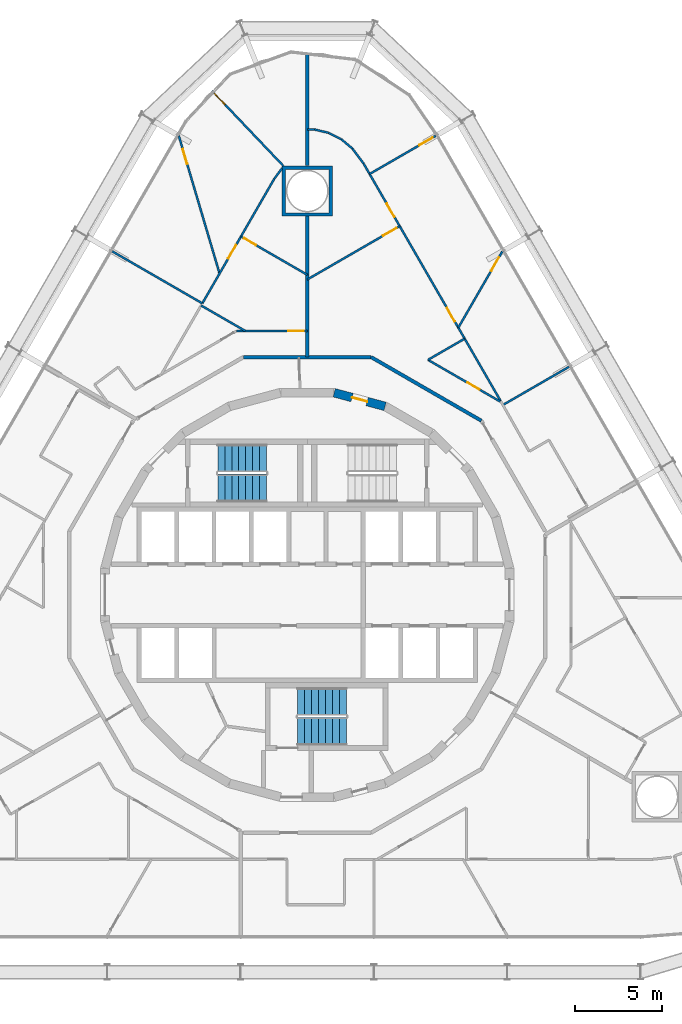
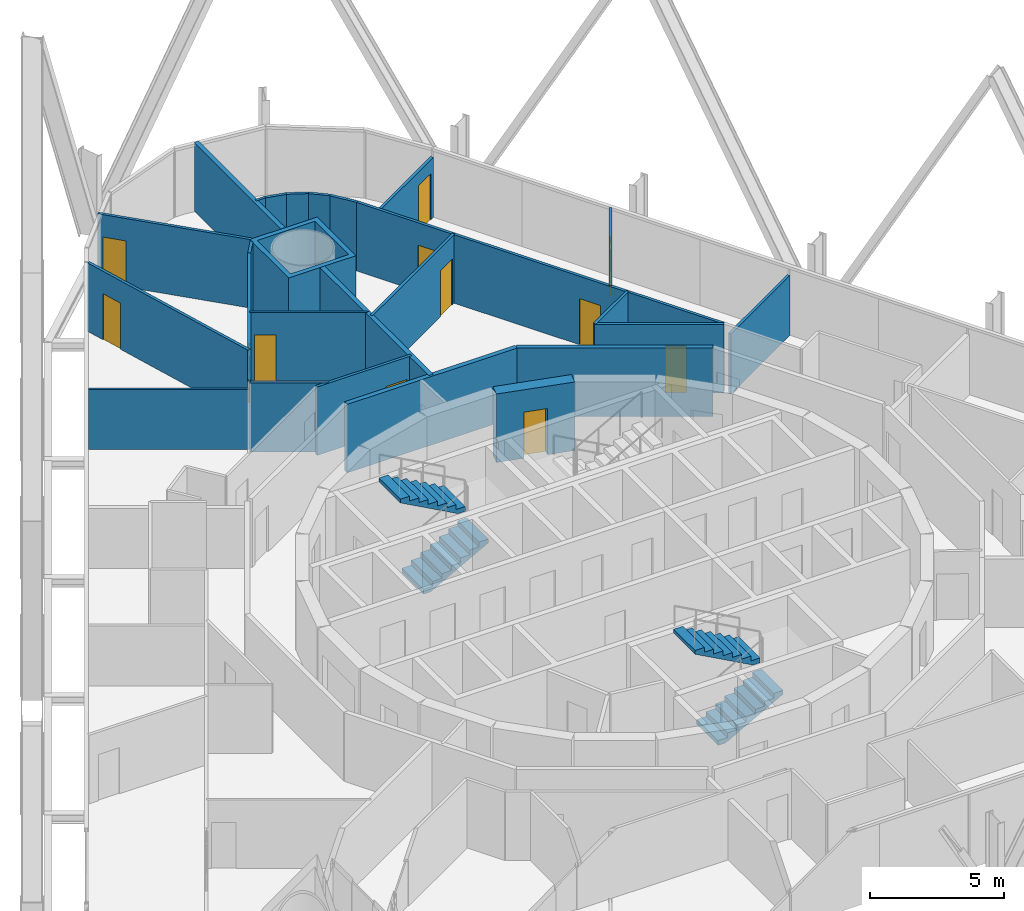
# One storey, part 19 of 21: 27 walls, 12 doors, 4 stair flights, 12 openings, 2 elements without a shape of their own.
"""IFC4 building model written with IfcOpenShell, lengths in metres."""

from ifc_helpers import new_model, si_unit, direction, frame, frame_2d, origin, place, context, subcontext, project, spatial, polyline, rectangle, outline, extrude, material, layer, layer_set, type_object, element, fill, aggregate, save


model = new_model("IFC4")

# Units and contexts
model_context = context("Model", 3, precision=1e-05, world=origin(), true_north=direction((0.0, 1.0)))
body_context = subcontext(model_context, "Body", "Model", "MODEL_VIEW")
ifc_project = project(units=[si_unit("LENGTHUNIT", "METRE"), si_unit("AREAUNIT", "SQUARE_METRE"), si_unit("VOLUMEUNIT", "CUBIC_METRE"), si_unit("PLANEANGLEUNIT", "RADIAN"), si_unit("MASSUNIT", "GRAM", prefix="KILO")], contexts=[model_context])

# Site, building, storey
site_placement = place(None, origin())
site = spatial("IfcSite", under=ifc_project, at=site_placement, CompositionType="ELEMENT")
building_placement = place(site_placement, origin())
building = spatial("IfcBuilding", under=site, at=building_placement, Name="Spindle Arch Residences", CompositionType="ELEMENT")
storey_placement = place(building_placement, frame((0.0, 0.0, 38.39990234375)))
storey = spatial("IfcBuildingStorey", under=building, at=storey_placement, Name="L07", CompositionType="ELEMENT", Elevation=38.39990234375)

# Wall, opening, door
ifc_material_1 = material(Name="Concrete C50/60", Category="concrete")
ifc_layer_1 = layer(ifc_material_1, 0.5)
ifc_layer_set_1 = layer_set([ifc_layer_1], Name="Core outline wall 500")
wall_type_1 = type_object("IfcWallType", Name="Core outline wall 500", PredefinedType="SHEAR", material=ifc_layer_set_1)
wall_1_placement = place(storey_placement, frame((4.479248046875, 10.858154296875, 0.0), z_axis=(0.0, 0.0, 1.0), x_axis=(-0.965948410781, 0.258734743916, 0.0)))
wall_1 = element("IfcWall", 1, at=wall_1_placement, inside=storey, type_object=wall_type_1, Name="Core outline wall 11", PredefinedType="SHEAR", context=body_context, shape_type="SweptSolid", body=[
    extrude(rectangle(XDim=3.03271484375, YDim=0.5, at=frame_2d((1.516357421875, 0.0))), origin(), (0.0, 0.0, 1.0), 3.1201171875),
])
opening_1_placement = place(wall_1_placement, frame((1.066162109375, 0.0, 0.0)))
opening_1 = element("IfcOpeningElement", 2, at=opening_1_placement, cuts=wall_1, Name="Opening R1A0-WD10", PredefinedType="OPENING", context=body_context, shape_type="SweptSolid", body=[
    extrude(rectangle(XDim=0.89990234375, YDim=2.10009765625, at=frame_2d((0.449951171875, 1.050048828125))), frame((0.0, 0.260009765625, 0.0), z_axis=(0.0, -1.0, 0.0), x_axis=(1.0, 0.0, 0.0)), (0.0, 0.0, 1.0), 0.52001953125),
])
ifc_material_2 = material(Name="Steel, fire-resisting door", Category="steel")
door_type_1 = type_object("IfcDoorType", Name="Service room door 900x2100", OperationType="SINGLE_SWING_LEFT", PredefinedType="DOOR", material=ifc_material_2)
door_1_placement = place(opening_1_placement, origin())
door_1 = element("IfcDoor", 3, at=door_1_placement, inside=storey, type_object=door_type_1, Name="Service room door R1A0-WD10", OperationType="SINGLE_SWING_LEFT", OverallHeight=2.10009765625, OverallWidth=0.89990234375, PredefinedType="DOOR", context=body_context, shape_type="SweptSolid", body=[
    extrude(rectangle(XDim=0.89990234375, YDim=2.10009765625, at=frame_2d((0.449951171875, 1.050048828125))), frame((0.0, 0.02490234375, 0.0), z_axis=(0.0, -1.0, 0.0), x_axis=(1.0, 0.0, 0.0)), (0.0, 0.0, 1.0), 0.050048828125),
])
fill(opening_1, door_1)

# Walls
ifc_material_3 = material(Name="Calcium silicate block, plastered")
ifc_layer_2 = layer(ifc_material_3, 0.199951171875)
ifc_layer_set_2 = layer_set([ifc_layer_2], Name="Corridor wall 200")
wall_type_2 = type_object("IfcWallType", Name="Corridor wall 200", PredefinedType="STANDARD", material=ifc_layer_set_2)
for number, where, z_axis, x_axis, name in (
    (4, (10.029052734375, 10.029052734375, 0.0), (0.0, 0.0, 1.0), (-0.866024439905, 0.500001669485, 0.0), "Corridor wall R1A0-W005"),
    (5, (3.6708984375, 13.699951171875, 0.0), (0.0, 0.0, 1.0), (-1.0, 0.0, 0.0), "Corridor wall R1A0-W006"),
):
    element("IfcWall", number, at=place(storey_placement, frame(where, z_axis=z_axis, x_axis=x_axis)), inside=storey, type_object=wall_type_2, Name=name, PredefinedType="STANDARD", context=body_context, shape_type="SweptSolid", body=[
        extrude(rectangle(XDim=7.341796875, YDim=0.199951171875, at=frame_2d((3.6708984375, 0.0))), origin(), (0.0, 0.0, 1.0), 3.1201171875),
    ])

# Wall, openings, doors
ifc_material_4 = material(Name="Plasterboard on steel studs", Category="steel")
ifc_layer_3 = layer(ifc_material_4, 0.1201171875)
ifc_layer_set_3 = layer_set([ifc_layer_3], Name="Flat partition 120")
wall_type_3 = type_object("IfcWallType", Name="Flat partition 120", PredefinedType="PARTITIONING", material=ifc_layer_set_3)
wall_2_placement = place(storey_placement, frame((11.138916015625, 11.16650390625, 0.0), z_axis=(0.0, 0.0, 1.0), x_axis=(-0.499994660107, 0.866028486751, 0.0)))
wall_2 = element("IfcWall", 6, at=wall_2_placement, inside=storey, type_object=wall_type_3, Name="Flat partition R1A0-W031", PredefinedType="PARTITIONING", context=body_context, shape_type="SweptSolid", body=[
    extrude(rectangle(XDim=15.786376953125, YDim=0.1201171875, at=frame_2d((7.89306640625, 0.0))), origin(), (0.0, 0.0, 1.0), 3.1201171875),
])
opening_2_placement = place(wall_2_placement, frame((5.27880859375, 0.0, 0.0)))
opening_2 = element("IfcOpeningElement", 7, at=opening_2_placement, cuts=wall_2, Name="Opening R1A0-ID02", PredefinedType="OPENING", context=body_context, shape_type="SweptSolid", body=[
    extrude(rectangle(XDim=0.89990234375, YDim=2.10009765625, at=frame_2d((0.449951171875, 1.050048828125))), frame((0.0, 0.070068359375, 0.0), z_axis=(0.0, -1.0, 0.0), x_axis=(1.0, 0.0, 0.0)), (0.0, 0.0, 1.0), 0.14013671875),
])
opening_3_placement = place(wall_2_placement, frame((12.230224609375, 0.0, 0.0)))
opening_3 = element("IfcOpeningElement", 8, at=opening_3_placement, cuts=wall_2, Name="Opening R1A0-ID06", PredefinedType="OPENING", context=body_context, shape_type="SweptSolid", body=[
    extrude(rectangle(XDim=0.89990234375, YDim=2.10009765625, at=frame_2d((0.449951171875, 1.050048828125))), frame((0.0, 0.070068359375, 0.0), z_axis=(0.0, -1.0, 0.0), x_axis=(1.0, 0.0, 0.0)), (0.0, 0.0, 1.0), 0.14013671875),
])
ifc_material_5 = material(Name="Timber door set", Category="wood")
door_type_2 = type_object("IfcDoorType", Name="Room door 900x2100", OperationType="NOTDEFINED", PredefinedType="DOOR", material=ifc_material_5)
door_2_placement = place(opening_2_placement, origin())
door_2 = element("IfcDoor", 9, at=door_2_placement, inside=storey, type_object=door_type_2, Name="Room door R1A0-ID02", OperationType="SINGLE_SWING_RIGHT", OverallHeight=2.10009765625, OverallWidth=0.89990234375, PredefinedType="DOOR", context=body_context, shape_type="SweptSolid", body=[
    extrude(rectangle(XDim=0.89990234375, YDim=2.10009765625, at=frame_2d((0.449951171875, 1.050048828125))), frame((0.0, 0.02490234375, 0.0), z_axis=(0.0, -1.0, 0.0), x_axis=(1.0, 0.0, 0.0)), (0.0, 0.0, 1.0), 0.050048828125),
])
fill(opening_2, door_2)
door_3_placement = place(opening_3_placement, origin())
door_3 = element("IfcDoor", 10, at=door_3_placement, inside=storey, type_object=door_type_2, Name="Room door R1A0-ID06", OperationType="SINGLE_SWING_LEFT", OverallHeight=2.10009765625, OverallWidth=0.89990234375, PredefinedType="DOOR", context=body_context, shape_type="SweptSolid", body=[
    extrude(rectangle(XDim=0.89990234375, YDim=2.10009765625, at=frame_2d((0.449951171875, 1.050048828125))), frame((0.0, 0.02490234375, 0.0), z_axis=(0.0, -1.0, 0.0), x_axis=(1.0, 0.0, 0.0)), (0.0, 0.0, 1.0), 0.050048828125),
])
fill(opening_3, door_3)

# Wall, opening, door
wall_3_placement = place(storey_placement, frame((11.127197265625, 11.127197265625, 0.0), z_axis=(0.0, 0.0, 1.0), x_axis=(-0.866043916853, 0.499967933054, 0.0)))
wall_3 = element("IfcWall", 11, at=wall_3_placement, inside=storey, type_object=wall_type_3, Name="Flat partition R1A0-W032", PredefinedType="PARTITIONING", context=body_context, shape_type="SweptSolid", body=[
    extrude(rectangle(XDim=4.821044921875, YDim=0.1201171875, at=frame_2d((2.41064453125, 0.0))), origin(), (0.0, 0.0, 1.0), 3.1201171875),
])
opening_4_placement = place(wall_3_placement, frame((1.39990234375, 0.0, 0.0)))
opening_4 = element("IfcOpeningElement", 12, at=opening_4_placement, cuts=wall_3, Name="Opening R1A0-BD01", PredefinedType="OPENING", context=body_context, shape_type="SweptSolid", body=[
    extrude(rectangle(XDim=0.800048828125, YDim=2.10009765625, at=frame_2d((0.39990234375, 1.050048828125))), frame((0.0, 0.070068359375, 0.0), z_axis=(0.0, -1.0, 0.0), x_axis=(1.0, 0.0, 0.0)), (0.0, 0.0, 1.0), 0.14013671875),
])
ifc_material_6 = material(Name="Timber door set", Category="wood")
door_type_3 = type_object("IfcDoorType", Name="Bathroom door 800x2100", OperationType="NOTDEFINED", PredefinedType="DOOR", material=ifc_material_6)
door_4_placement = place(opening_4_placement, origin())
door_4 = element("IfcDoor", 13, at=door_4_placement, inside=storey, type_object=door_type_3, Name="Bathroom door R1A0-BD01", OperationType="SINGLE_SWING_RIGHT", OverallHeight=2.10009765625, OverallWidth=0.800048828125, PredefinedType="DOOR", context=body_context, shape_type="SweptSolid", body=[
    extrude(rectangle(XDim=0.800048828125, YDim=2.10009765625, at=frame_2d((0.39990234375, 1.050048828125))), frame((0.0, 0.02490234375, 0.0), z_axis=(0.0, -1.0, 0.0), x_axis=(1.0, 0.0, 0.0)), (0.0, 0.0, 1.0), 0.050048828125),
])
fill(opening_4, door_4)

# Wall
wall_4_placement = place(storey_placement, frame((6.951904296875, 13.53759765625, 0.0), z_axis=(0.0, 0.0, 1.0), x_axis=(0.866030657337, 0.49999090047, 0.0)))
element("IfcWall", 14, at=wall_4_placement, inside=storey, type_object=wall_type_3, Name="Flat partition R1A0-W033", PredefinedType="PARTITIONING", context=body_context, shape_type="SweptSolid", body=[
    extrude(rectangle(XDim=2.4404296875, YDim=0.1201171875, at=frame_2d((1.22021484375, 0.0))), origin(), (0.0, 0.0, 1.0), 3.1201171875),
])

# Wall, opening, door
wall_5_placement = place(storey_placement, frame((5.323974609375, 21.238525390625, 0.0), z_axis=(0.0, 0.0, 1.0), x_axis=(-0.866030172657, -0.49999173998, 0.0)))
wall_5 = element("IfcWall", 15, at=wall_5_placement, inside=storey, type_object=wall_type_3, Name="Flat partition R1A0-W034", PredefinedType="PARTITIONING", context=body_context, shape_type="SweptSolid", body=[
    extrude(rectangle(XDim=6.1474609375, YDim=0.1201171875, at=frame_2d((3.07373046875, 0.0))), origin(), (0.0, 0.0, 1.0), 3.1201171875),
])
opening_5_placement = place(wall_5_placement, frame((0.199951171875, 0.0, 0.0)))
opening_5 = element("IfcOpeningElement", 16, at=opening_5_placement, cuts=wall_5, Name="Opening R1A0-ID03", PredefinedType="OPENING", context=body_context, shape_type="SweptSolid", body=[
    extrude(rectangle(XDim=0.89990234375, YDim=2.10009765625, at=frame_2d((0.449951171875, 1.050048828125))), frame((0.0, 0.070068359375, 0.0), z_axis=(0.0, -1.0, 0.0), x_axis=(1.0, 0.0, 0.0)), (0.0, 0.0, 1.0), 0.14013671875),
])
door_5_placement = place(opening_5_placement, origin())
door_5 = element("IfcDoor", 17, at=door_5_placement, inside=storey, type_object=door_type_2, Name="Room door R1A0-ID03", OperationType="SINGLE_SWING_RIGHT", OverallHeight=2.10009765625, OverallWidth=0.89990234375, PredefinedType="DOOR", context=body_context, shape_type="SweptSolid", body=[
    extrude(rectangle(XDim=0.89990234375, YDim=2.10009765625, at=frame_2d((0.449951171875, 1.050048828125))), frame((0.0, 0.02490234375, 0.0), z_axis=(0.0, -1.0, 0.0), x_axis=(1.0, 0.0, 0.0)), (0.0, 0.0, 1.0), 0.050048828125),
])
fill(opening_5, door_5)

wall_6_placement = place(storey_placement, frame((11.239990234375, 19.791748046875, 0.0), z_axis=(0.0, 0.0, 1.0), x_axis=(-0.499978956711, -0.866037552792, 0.0)))
wall_6 = element("IfcWall", 18, at=wall_6_placement, inside=storey, type_object=wall_type_3, Name="Flat partition R1A0-W036", PredefinedType="PARTITIONING", context=body_context, shape_type="SweptSolid", body=[
    extrude(rectangle(XDim=5.080810546875, YDim=0.1201171875, at=frame_2d((2.54052734375, 0.0))), origin(), (0.0, 0.0, 1.0), 3.1201171875),
])
opening_6_placement = place(wall_6_placement, frame((0.39990234375, 0.0, 0.0)))
opening_6 = element("IfcOpeningElement", 19, at=opening_6_placement, cuts=wall_6, Name="Opening R1A0-ID04", PredefinedType="OPENING", context=body_context, shape_type="SweptSolid", body=[
    extrude(rectangle(XDim=0.89990234375, YDim=2.10009765625, at=frame_2d((0.449951171875, 1.050048828125))), frame((0.0, 0.070068359375, 0.0), z_axis=(0.0, -1.0, 0.0), x_axis=(1.0, 0.0, 0.0)), (0.0, 0.0, 1.0), 0.14013671875),
])
door_6_placement = place(opening_6_placement, origin())
door_6 = element("IfcDoor", 20, at=door_6_placement, inside=storey, type_object=door_type_2, Name="Room door R1A0-ID04", OperationType="SINGLE_SWING_LEFT", OverallHeight=2.10009765625, OverallWidth=0.89990234375, PredefinedType="DOOR", context=body_context, shape_type="SweptSolid", body=[
    extrude(rectangle(XDim=0.89990234375, YDim=2.10009765625, at=frame_2d((0.449951171875, 1.050048828125))), frame((0.0, 0.02490234375, 0.0), z_axis=(0.0, -1.0, 0.0), x_axis=(1.0, 0.0, 0.0)), (0.0, 0.0, 1.0), 0.050048828125),
])
fill(opening_6, door_6)

# Walls
wall_7_placement = place(storey_placement, frame((0.0, 26.8056640625, 0.0), z_axis=(0.0, 0.0, 1.0), x_axis=(1.0, 0.0, 0.0)))
element("IfcWall", 21, at=wall_7_placement, inside=storey, type_object=wall_type_3, Name="Flat partition R1A0-W038", PredefinedType="PARTITIONING", context=body_context, shape_type="SweptSolid", body=[
    extrude(rectangle(XDim=0.41455078125, YDim=0.1201171875, at=frame_2d((0.207275390625, 0.0))), origin(), (0.0, 0.0, 1.0), 3.1201171875),
])
wall_8_placement = place(storey_placement, frame((0.41455078125, 26.8056640625, 0.0), z_axis=(0.0, 0.0, 1.0), x_axis=(0.973048993259, -0.230598475097, 0.0)))
element("IfcWall", 22, at=wall_8_placement, inside=storey, type_object=wall_type_3, Name="Flat partition R1A0-W039", PredefinedType="PARTITIONING", context=body_context, shape_type="SweptSolid", body=[
    extrude(rectangle(XDim=0.8291015625, YDim=0.1201171875, at=frame_2d((0.41455078125, 0.0))), origin(), (0.0, 0.0, 1.0), 3.1201171875),
])
for number, where, z_axis, x_axis, name in (
    (23, (1.22119140625, 26.614501953125, 0.0), (0.0, 0.0, 1.0), (0.893719110379, -0.448626962791, 0.0), "Flat partition R1A0-W040"),
    (24, (1.9619140625, 26.24267578125, 0.0), (0.0, 0.0, 1.0), (0.765849913579, -0.643019369748, 0.0), "Flat partition R1A0-W041"),
):
    element("IfcWall", number, at=place(storey_placement, frame(where, z_axis=z_axis, x_axis=x_axis)), inside=storey, type_object=wall_type_3, Name=name, PredefinedType="PARTITIONING", context=body_context, shape_type="SweptSolid", body=[
        extrude(rectangle(XDim=0.828857421875, YDim=0.1201171875, at=frame_2d((0.41455078125, 0.0))), origin(), (0.0, 0.0, 1.0), 3.1201171875),
    ])
wall_9_placement = place(storey_placement, frame((2.5966796875, 25.709716796875, 0.0), z_axis=(0.0, 0.0, 1.0), x_axis=(0.59722925597, -0.802070580319, 0.0)))
element("IfcWall", 25, at=wall_9_placement, inside=storey, type_object=wall_type_3, Name="Flat partition R1A0-W042", PredefinedType="PARTITIONING", context=body_context, shape_type="SweptSolid", body=[
    extrude(rectangle(XDim=1.0869140625, YDim=0.1201171875, at=frame_2d((0.54345703125, 0.0))), origin(), (0.0, 0.0, 1.0), 3.1201171875),
])

# Wall, opening, door
wall_10_placement = place(storey_placement, frame((0.0, 15.199951171875, 0.0), z_axis=(0.0, 0.0, 1.0), x_axis=(-1.0, 0.0, 0.0)))
wall_10 = element("IfcWall", 26, at=wall_10_placement, inside=storey, type_object=wall_type_3, Name="Flat partition R1A0-W043", PredefinedType="PARTITIONING", context=body_context, shape_type="SweptSolid", body=[
    extrude(rectangle(XDim=4.07275390625, YDim=0.1201171875, at=frame_2d((2.036376953125, 0.0))), origin(), (0.0, 0.0, 1.0), 3.1201171875),
])
opening_7_placement = place(wall_10_placement, frame((0.199951171875, 0.0, 0.0)))
opening_7 = element("IfcOpeningElement", 27, at=opening_7_placement, cuts=wall_10, Name="Opening R1A0-ID07", PredefinedType="OPENING", context=body_context, shape_type="SweptSolid", body=[
    extrude(rectangle(XDim=0.89990234375, YDim=2.10009765625, at=frame_2d((0.449951171875, 1.050048828125))), frame((0.0, 0.070068359375, 0.0), z_axis=(0.0, -1.0, 0.0), x_axis=(1.0, 0.0, 0.0)), (0.0, 0.0, 1.0), 0.14013671875),
])
door_7_placement = place(opening_7_placement, origin())
door_7 = element("IfcDoor", 28, at=door_7_placement, inside=storey, type_object=door_type_2, Name="Room door R1A0-ID07", OperationType="SINGLE_SWING_RIGHT", OverallHeight=2.10009765625, OverallWidth=0.89990234375, PredefinedType="DOOR", context=body_context, shape_type="SweptSolid", body=[
    extrude(rectangle(XDim=0.89990234375, YDim=2.10009765625, at=frame_2d((0.449951171875, 1.050048828125))), frame((0.0, 0.02490234375, 0.0), z_axis=(0.0, -1.0, 0.0), x_axis=(1.0, 0.0, 0.0)), (0.0, 0.0, 1.0), 0.050048828125),
])
fill(opening_7, door_7)

wall_11_placement = place(storey_placement, frame((-5.487060546875, 29.0283203125, 0.0), z_axis=(0.0, 0.0, 1.0), x_axis=(0.689189638576, -0.724581011398, 0.0)))
wall_11 = element("IfcWall", 29, at=wall_11_placement, inside=storey, type_object=wall_type_3, Name="Flat partition R1A0-W048", PredefinedType="PARTITIONING", context=body_context, shape_type="SweptSolid", body=[
    extrude(rectangle(XDim=5.960205078125, YDim=0.1201171875, at=frame_2d((2.97998046875, 0.0))), origin(), (0.0, 0.0, 1.0), 3.1201171875),
])
opening_8_placement = place(wall_11_placement, frame((0.199951171875, 0.0, 0.0)))
opening_8 = element("IfcOpeningElement", 30, at=opening_8_placement, cuts=wall_11, Name="Opening R1A0-ID10", PredefinedType="OPENING", context=body_context, shape_type="SweptSolid", body=[
    extrude(rectangle(XDim=0.89990234375, YDim=2.10009765625, at=frame_2d((0.449951171875, 1.050048828125))), frame((0.0, 0.070068359375, 0.0), z_axis=(0.0, -1.0, 0.0), x_axis=(1.0, 0.0, 0.0)), (0.0, 0.0, 1.0), 0.14013671875),
])
door_8_placement = place(opening_8_placement, origin())
door_8 = element("IfcDoor", 31, at=door_8_placement, inside=storey, type_object=door_type_2, Name="Room door R1A0-ID10", OperationType="SINGLE_SWING_LEFT", OverallHeight=2.10009765625, OverallWidth=0.89990234375, PredefinedType="DOOR", context=body_context, shape_type="SweptSolid", body=[
    extrude(rectangle(XDim=0.89990234375, YDim=2.10009765625, at=frame_2d((0.449951171875, 1.050048828125))), frame((0.0, 0.02490234375, 0.0), z_axis=(0.0, -1.0, 0.0), x_axis=(1.0, 0.0, 0.0)), (0.0, 0.0, 1.0), 0.050048828125),
])
fill(opening_8, door_8)

wall_12_placement = place(storey_placement, frame((-3.820556640625, 20.642578125, 0.0), z_axis=(0.0, 0.0, 1.0), x_axis=(0.866024310165, -0.5000018942, 0.0)))
wall_12 = element("IfcWall", 32, at=wall_12_placement, inside=storey, type_object=wall_type_3, Name="Flat partition R1A0-W049", PredefinedType="PARTITIONING", context=body_context, shape_type="SweptSolid", body=[
    extrude(rectangle(XDim=4.41162109375, YDim=0.1201171875, at=frame_2d((2.205810546875, 0.0))), origin(), (0.0, 0.0, 1.0), 3.1201171875),
])
opening_9_placement = place(wall_12_placement, frame((0.199951171875, 0.0, 0.0)))
opening_9 = element("IfcOpeningElement", 33, at=opening_9_placement, cuts=wall_12, Name="Opening R1A0-BD03", PredefinedType="OPENING", context=body_context, shape_type="SweptSolid", body=[
    extrude(rectangle(XDim=0.800048828125, YDim=2.10009765625, at=frame_2d((0.39990234375, 1.050048828125))), frame((0.0, 0.070068359375, 0.0), z_axis=(0.0, -1.0, 0.0), x_axis=(1.0, 0.0, 0.0)), (0.0, 0.0, 1.0), 0.14013671875),
])
door_9_placement = place(opening_9_placement, origin())
door_9 = element("IfcDoor", 34, at=door_9_placement, inside=storey, type_object=door_type_3, Name="Bathroom door R1A0-BD03", OperationType="SINGLE_SWING_LEFT", OverallHeight=2.10009765625, OverallWidth=0.800048828125, PredefinedType="DOOR", context=body_context, shape_type="SweptSolid", body=[
    extrude(rectangle(XDim=0.800048828125, YDim=2.10009765625, at=frame_2d((0.39990234375, 1.050048828125))), frame((0.0, 0.02490234375, 0.0), z_axis=(0.0, -1.0, 0.0), x_axis=(1.0, 0.0, 0.0)), (0.0, 0.0, 1.0), 0.050048828125),
])
fill(opening_9, door_9)

# Wall
wall_13_placement = place(storey_placement, frame((-1.449951171875, 24.57080078125, 0.0), z_axis=(0.0, 0.0, 1.0), x_axis=(-0.597187509737, -0.802101663266, 0.0)))
element("IfcWall", 35, at=wall_13_placement, inside=storey, type_object=wall_type_3, Name="Flat partition R1A0-W050", PredefinedType="PARTITIONING", context=body_context, shape_type="SweptSolid", body=[
    extrude(rectangle(XDim=0.764892578125, YDim=0.1201171875, at=frame_2d((0.38232421875, 0.0))), origin(), (0.0, 0.0, 1.0), 3.1201171875),
])

# Wall, opening, door
wall_14_placement = place(storey_placement, frame((-1.90673828125, 23.957275390625, 0.0), z_axis=(0.0, 0.0, 1.0), x_axis=(-0.499994901178, -0.866028347571, 0.0)))
wall_14 = element("IfcWall", 36, at=wall_14_placement, inside=storey, type_object=wall_type_3, Name="Flat partition R1A0-W051", PredefinedType="PARTITIONING", context=body_context, shape_type="SweptSolid", body=[
    extrude(rectangle(XDim=8.27392578125, YDim=0.1201171875, at=frame_2d((4.136962890625, 0.0))), origin(), (0.0, 0.0, 1.0), 3.1201171875),
])
opening_10_placement = place(wall_14_placement, frame((4.387451171875, 0.0, 0.0)))
opening_10 = element("IfcOpeningElement", 37, at=opening_10_placement, cuts=wall_14, Name="Opening R1A0-ID09", PredefinedType="OPENING", context=body_context, shape_type="SweptSolid", body=[
    extrude(rectangle(XDim=0.89990234375, YDim=2.10009765625, at=frame_2d((0.449951171875, 1.050048828125))), frame((0.0, 0.070068359375, 0.0), z_axis=(0.0, -1.0, 0.0), x_axis=(1.0, 0.0, 0.0)), (0.0, 0.0, 1.0), 0.14013671875),
])
door_10_placement = place(opening_10_placement, origin())
door_10 = element("IfcDoor", 38, at=door_10_placement, inside=storey, type_object=door_type_2, Name="Room door R1A0-ID09", OperationType="SINGLE_SWING_LEFT", OverallHeight=2.10009765625, OverallWidth=0.89990234375, PredefinedType="DOOR", context=body_context, shape_type="SweptSolid", body=[
    extrude(rectangle(XDim=0.89990234375, YDim=2.10009765625, at=frame_2d((0.449951171875, 1.050048828125))), frame((0.0, 0.02490234375, 0.0), z_axis=(0.0, -1.0, 0.0), x_axis=(1.0, 0.0, 0.0)), (0.0, 0.0, 1.0), 0.050048828125),
])
fill(opening_10, door_10)

# Wall
wall_15_placement = place(storey_placement, frame((-6.114013671875, 16.669921875, 0.0), z_axis=(0.0, 0.0, 1.0), x_axis=(0.866011328839, -0.500024377727, 0.0)))
element("IfcWall", 39, at=wall_15_placement, inside=storey, type_object=wall_type_3, Name="Flat partition R1A0-W052", PredefinedType="PARTITIONING", context=body_context, shape_type="SweptSolid", body=[
    extrude(rectangle(XDim=2.939697265625, YDim=0.1201171875, at=frame_2d((1.4697265625, 0.0))), origin(), (0.0, 0.0, 1.0), 3.1201171875),
])

# Wall, opening, door
wall_16_placement = place(storey_placement, frame((-7.39990234375, 26.44287109375, 0.0), z_axis=(0.0, 0.0, 1.0), x_axis=(0.283777867447, -0.95889004685, 0.0)))
wall_16 = element("IfcWall", 40, at=wall_16_placement, inside=storey, type_object=wall_type_3, Name="Flat partition R1A0-W053", PredefinedType="PARTITIONING", context=body_context, shape_type="SweptSolid", body=[
    extrude(rectangle(XDim=8.273681640625, YDim=0.1201171875, at=frame_2d((4.13671875, 0.0))), origin(), (0.0, 0.0, 1.0), 3.1201171875),
])
opening_11_placement = place(wall_16_placement, frame((0.800048828125, 0.0, 0.0)))
opening_11 = element("IfcOpeningElement", 41, at=opening_11_placement, cuts=wall_16, Name="Opening R1A0-ID11", PredefinedType="OPENING", context=body_context, shape_type="SweptSolid", body=[
    extrude(rectangle(XDim=0.89990234375, YDim=2.10009765625, at=frame_2d((0.449951171875, 1.050048828125))), frame((0.0, 0.070068359375, 0.0), z_axis=(0.0, -1.0, 0.0), x_axis=(1.0, 0.0, 0.0)), (0.0, 0.0, 1.0), 0.14013671875),
])
door_11_placement = place(opening_11_placement, origin())
door_11 = element("IfcDoor", 42, at=door_11_placement, inside=storey, type_object=door_type_2, Name="Room door R1A0-ID11", OperationType="SINGLE_SWING_RIGHT", OverallHeight=2.10009765625, OverallWidth=0.89990234375, PredefinedType="DOOR", context=body_context, shape_type="SweptSolid", body=[
    extrude(rectangle(XDim=0.89990234375, YDim=2.10009765625, at=frame_2d((0.449951171875, 1.050048828125))), frame((0.0, 0.02490234375, 0.0), z_axis=(0.0, -1.0, 0.0), x_axis=(1.0, 0.0, 0.0)), (0.0, 0.0, 1.0), 0.050048828125),
])
fill(opening_11, door_11)

# Wall
ifc_material_7 = material(Name="Plasterboard on steel studs", Category="steel")
ifc_layer_4 = layer(ifc_material_7, 0.1201171875)
ifc_layer_set_4 = layer_set([ifc_layer_4], Name="Flat partition 120 under beam 2730")
wall_type_4 = type_object("IfcWallType", Name="Flat partition 120 under beam 2730", PredefinedType="PARTITIONING", material=ifc_layer_set_4)
wall_17_placement = place(storey_placement, frame((15.080078125, 13.140380859375, 0.0), z_axis=(0.0, 0.0, 1.0), x_axis=(-0.866032203192, -0.499988222896, 0.0)))
element("IfcWall", 43, at=wall_17_placement, inside=storey, type_object=wall_type_4, Name="Flat partition R1A0-W035", PredefinedType="PARTITIONING", context=body_context, shape_type="SweptSolid", body=[
    extrude(rectangle(XDim=4.39990234375, YDim=0.1201171875, at=frame_2d((2.199951171875, 0.0))), origin(), (0.0, 0.0, 1.0), 2.72998046875),
])

# Wall, opening, door
wall_18_placement = place(storey_placement, frame((7.39990234375, 26.44287109375, 0.0), z_axis=(0.0, 0.0, 1.0), x_axis=(-0.866032203192, -0.499988222896, 0.0)))
wall_18 = element("IfcWall", 44, at=wall_18_placement, inside=storey, type_object=wall_type_4, Name="Flat partition R1A0-W037", PredefinedType="PARTITIONING", context=body_context, shape_type="SweptSolid", body=[
    extrude(rectangle(XDim=4.39990234375, YDim=0.1201171875, at=frame_2d((2.199951171875, 0.0))), origin(), (0.0, 0.0, 1.0), 2.72998046875),
])
opening_12_placement = place(wall_18_placement, frame((0.199951171875, 0.0, 0.0)))
opening_12 = element("IfcOpeningElement", 45, at=opening_12_placement, cuts=wall_18, Name="Opening R1A0-ID05", PredefinedType="OPENING", context=body_context, shape_type="SweptSolid", body=[
    extrude(rectangle(XDim=0.89990234375, YDim=2.10009765625, at=frame_2d((0.449951171875, 1.050048828125))), frame((0.0, 0.070068359375, 0.0), z_axis=(0.0, -1.0, 0.0), x_axis=(1.0, 0.0, 0.0)), (0.0, 0.0, 1.0), 0.14013671875),
])
door_12_placement = place(opening_12_placement, origin())
door_12 = element("IfcDoor", 46, at=door_12_placement, inside=storey, type_object=door_type_2, Name="Room door R1A0-ID05", OperationType="SINGLE_SWING_RIGHT", OverallHeight=2.10009765625, OverallWidth=0.89990234375, PredefinedType="DOOR", context=body_context, shape_type="SweptSolid", body=[
    extrude(rectangle(XDim=0.89990234375, YDim=2.10009765625, at=frame_2d((0.449951171875, 1.050048828125))), frame((0.0, 0.02490234375, 0.0), z_axis=(0.0, -1.0, 0.0), x_axis=(1.0, 0.0, 0.0)), (0.0, 0.0, 1.0), 0.050048828125),
])
fill(opening_12, door_12)

# Walls
wall_19_placement = place(storey_placement, frame((-11.239990234375, 19.791748046875, 0.0), z_axis=(0.0, 0.0, 1.0), x_axis=(0.866031096941, -0.499990139034, 0.0)))
element("IfcWall", 47, at=wall_19_placement, inside=storey, type_object=wall_type_4, Name="Flat partition R1A0-W054", PredefinedType="PARTITIONING", context=body_context, shape_type="SweptSolid", body=[
    extrude(rectangle(XDim=6.0, YDim=0.1201171875, at=frame_2d((3.0, 0.0))), origin(), (0.0, 0.0, 1.0), 2.72998046875),
])
ifc_material_8 = material(Name="Calcium silicate block, plastered")
ifc_layer_5 = layer(ifc_material_8, 0.199951171875)
ifc_layer_set_5 = layer_set([ifc_layer_5], Name="Flat party wall 200")
wall_type_5 = type_object("IfcWallType", Name="Flat party wall 200", PredefinedType="STANDARD", material=ifc_layer_set_5)
wall_20_placement = place(storey_placement, frame((0.0, 18.436767578125, 0.0), z_axis=(0.0, 0.0, 1.0), x_axis=(0.0, -1.0, 0.0)))
element("IfcWall", 48, at=wall_20_placement, inside=storey, type_object=wall_type_5, Name="Flat party wall R1A0-W017", PredefinedType="STANDARD", context=body_context, shape_type="SweptSolid", body=[
    extrude(rectangle(XDim=4.73681640625, YDim=0.199951171875, at=frame_2d((2.368408203125, 0.0))), origin(), (0.0, 0.0, 1.0), 3.1201171875),
])
wall_21_placement = place(storey_placement, frame((0.0, 31.205810546875, 0.0), z_axis=(0.0, 0.0, 1.0), x_axis=(-0.001543266126, -0.999998809164, 0.0)))
element("IfcWall", 49, at=wall_21_placement, inside=storey, type_object=wall_type_5, Name="Flat party wall R1A0-W019", PredefinedType="STANDARD", context=body_context, shape_type="SweptSolid", body=[
    extrude(rectangle(XDim=6.486083984375, YDim=0.199951171875, at=frame_2d((3.2431640625, 0.0))), origin(), (0.0, 0.0, 1.0), 3.1201171875),
])
wall_22_placement = place(storey_placement, frame((0.0, 21.809814453125, 0.0), z_axis=(0.0, 0.0, 1.0), x_axis=(0.0, -1.0, 0.0)))
element("IfcWall", 50, at=wall_22_placement, inside=storey, type_object=wall_type_5, Name="Flat party wall R1A0-W020", PredefinedType="STANDARD", context=body_context, shape_type="SweptSolid", body=[
    extrude(rectangle(XDim=3.373046875, YDim=0.199951171875, at=frame_2d((1.6865234375, 0.0))), origin(), (0.0, 0.0, 1.0), 3.1201171875),
])
ifc_material_9 = material(Name="Calcium silicate block, plastered")
ifc_layer_6 = layer(ifc_material_9, 0.199951171875)
ifc_layer_set_6 = layer_set([ifc_layer_6], Name="Mega-column casing wall 200")
wall_type_6 = type_object("IfcWallType", Name="Mega-column casing wall 200", PredefinedType="STANDARD", material=ifc_layer_set_6)
wall_23_placement = place(storey_placement, origin())
element("IfcWall", 51, at=wall_23_placement, inside=storey, type_object=wall_type_6, Name="Mega-column casing wall R1A0-WC01", PredefinedType="STANDARD", context=body_context, shape_type="SweptSolid", body=[
    extrude(outline(polyline([(1.449951171875, 24.709716796875), (1.449951171875, 21.809814453125), (-1.449951171875, 21.809814453125), (-1.449951171875, 24.709716796875), (1.449951171875, 24.709716796875)]), holes=[polyline([(-1.25, 22.009765625), (1.25, 22.009765625), (1.25, 24.509765625), (-1.25, 24.509765625), (-1.25, 22.009765625)])]), origin(), (0.0, 0.0, 1.0), 3.1201171875),
])

# Stair, stair flights
ifc_material_10 = material(Name="Concrete C50/60", Category="concrete")
stair_type = type_object("IfcStairType", Name="Exit stair 16 risers", PredefinedType="HALF_TURN_STAIR", material=ifc_material_10)
stair_1_placement = place(storey_placement, origin())
stair_1 = element("IfcStair", 52, at=stair_1_placement, inside=storey, type_object=stair_type, Name="L07 Exit stair ST2", PredefinedType="HALF_TURN_STAIR")
ifc_material_11 = material(Name="Concrete C50/60", Category="concrete")
stair_flight_type = type_object("IfcStairFlightType", Name="Exit stair flight", PredefinedType="STRAIGHT", material=ifc_material_11)
stair_flight_1_placement = place(storey_placement, frame((-5.14990234375, 6.14990234375, 0.0), z_axis=(0.0, 0.0, 1.0), x_axis=(1.0, 0.0, 0.0)))
stair_flight_1 = element("IfcStairFlight", 53, at=stair_flight_1_placement, type_object=stair_flight_type, Name="ST2 flight 1", NumberOfRisers=8, NumberOfTreads=7, PredefinedType="STRAIGHT", RiserHeight=0.21875, TreadLength=0.4, context=body_context, shape_type="SweptSolid", body=[
    extrude(outline(polyline([(0.0, 0.0), (0.0, 0.21875), (0.39990234375, 0.21875), (0.39990234375, 0.4375), (0.800048828125, 0.4375), (0.800048828125, 0.65625), (1.199951171875, 0.65625), (1.199951171875, 0.875), (1.60009765625, 0.875), (1.60009765625, 1.09375), (2.0, 1.09375), (2.0, 1.3125), (2.39990234375, 1.3125), (2.39990234375, 1.53125), (2.800048828125, 1.53125), (2.800048828125, 1.75), (2.800048828125, 1.3603515625), (0.3125, 0.0), (0.0, 0.0)])), frame((0.0, 0.800048828125, 0.0), z_axis=(0.0, -1.0, 0.0), x_axis=(1.0, 0.0, 0.0)), (0.0, 0.0, 1.0), 1.60009765625),
])
stair_flight_2_placement = place(storey_placement, frame((-2.35009765625, 7.8701171875, 1.75), z_axis=(0.0, 0.0, 1.0), x_axis=(-1.0, 0.0, 0.0)))
stair_flight_2 = element("IfcStairFlight", 54, at=stair_flight_2_placement, type_object=stair_flight_type, Name="ST2 flight 2", NumberOfRisers=8, NumberOfTreads=7, PredefinedType="STRAIGHT", RiserHeight=0.21875, TreadLength=0.4, context=body_context, shape_type="SweptSolid", body=[
    extrude(outline(polyline([(0.0, 0.0), (0.0, 0.21875), (0.39990234375, 0.21875), (0.39990234375, 0.4375), (0.800048828125, 0.4375), (0.800048828125, 0.65625), (1.199951171875, 0.65625), (1.199951171875, 0.875), (1.60009765625, 0.875), (1.60009765625, 1.09375), (2.0, 1.09375), (2.0, 1.3125), (2.39990234375, 1.3125), (2.39990234375, 1.53125), (2.800048828125, 1.53125), (2.800048828125, 1.75), (2.800048828125, 1.3603515625), (0.3125, 0.0), (0.0, 0.0)])), frame((0.0, 0.800048828125, 0.0), z_axis=(0.0, -1.0, 0.0), x_axis=(1.0, 0.0, 0.0)), (0.0, 0.0, 1.0), 1.60009765625),
])
aggregate(stair_1, [stair_flight_1, stair_flight_2])

stair_2_placement = place(storey_placement, origin())
stair_2 = element("IfcStair", 55, at=stair_2_placement, inside=storey, type_object=stair_type, Name="L07 Exit stair ST3", PredefinedType="HALF_TURN_STAIR")
stair_flight_3_placement = place(storey_placement, frame((-0.550048828125, -7.8701171875, 0.0), z_axis=(0.0, 0.0, 1.0), x_axis=(1.0, 0.0, 0.0)))
stair_flight_3 = element("IfcStairFlight", 56, at=stair_flight_3_placement, type_object=stair_flight_type, Name="ST3 flight 1", NumberOfRisers=8, NumberOfTreads=7, PredefinedType="STRAIGHT", RiserHeight=0.21875, TreadLength=0.4, context=body_context, shape_type="SweptSolid", body=[
    extrude(outline(polyline([(0.0, 0.0), (0.0, 0.21875), (0.39990234375, 0.21875), (0.39990234375, 0.4375), (0.800048828125, 0.4375), (0.800048828125, 0.65625), (1.199951171875, 0.65625), (1.199951171875, 0.875), (1.60009765625, 0.875), (1.60009765625, 1.09375), (2.0, 1.09375), (2.0, 1.3125), (2.39990234375, 1.3125), (2.39990234375, 1.53125), (2.800048828125, 1.53125), (2.800048828125, 1.75), (2.800048828125, 1.3603515625), (0.3125, 0.0), (0.0, 0.0)])), frame((0.0, 0.800048828125, 0.0), z_axis=(0.0, -1.0, 0.0), x_axis=(1.0, 0.0, 0.0)), (0.0, 0.0, 1.0), 1.60009765625),
])
stair_flight_4_placement = place(storey_placement, frame((2.25, -6.14990234375, 1.75), z_axis=(0.0, 0.0, 1.0), x_axis=(-1.0, 0.0, 0.0)))
stair_flight_4 = element("IfcStairFlight", 57, at=stair_flight_4_placement, type_object=stair_flight_type, Name="ST3 flight 2", NumberOfRisers=8, NumberOfTreads=7, PredefinedType="STRAIGHT", RiserHeight=0.21875, TreadLength=0.4, context=body_context, shape_type="SweptSolid", body=[
    extrude(outline(polyline([(0.0, 0.0), (0.0, 0.21875), (0.39990234375, 0.21875), (0.39990234375, 0.4375), (0.800048828125, 0.4375), (0.800048828125, 0.65625), (1.199951171875, 0.65625), (1.199951171875, 0.875), (1.60009765625, 0.875), (1.60009765625, 1.09375), (2.0, 1.09375), (2.0, 1.3125), (2.39990234375, 1.3125), (2.39990234375, 1.53125), (2.800048828125, 1.53125), (2.800048828125, 1.75), (2.800048828125, 1.3603515625), (0.3125, 0.0), (0.0, 0.0)])), frame((0.0, 0.800048828125, 0.0), z_axis=(0.0, -1.0, 0.0), x_axis=(1.0, 0.0, 0.0)), (0.0, 0.0, 1.0), 1.60009765625),
])
aggregate(stair_2, [stair_flight_3, stair_flight_4])

save(model, "model.ifc")
